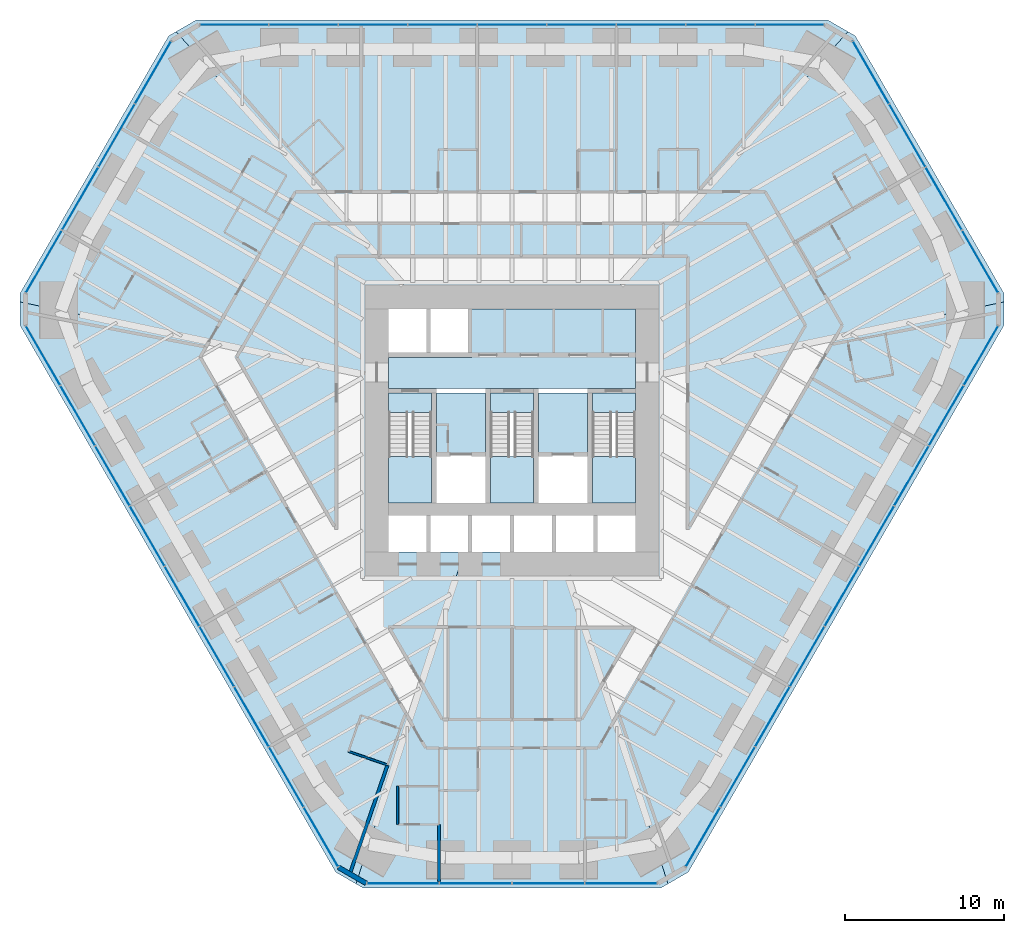
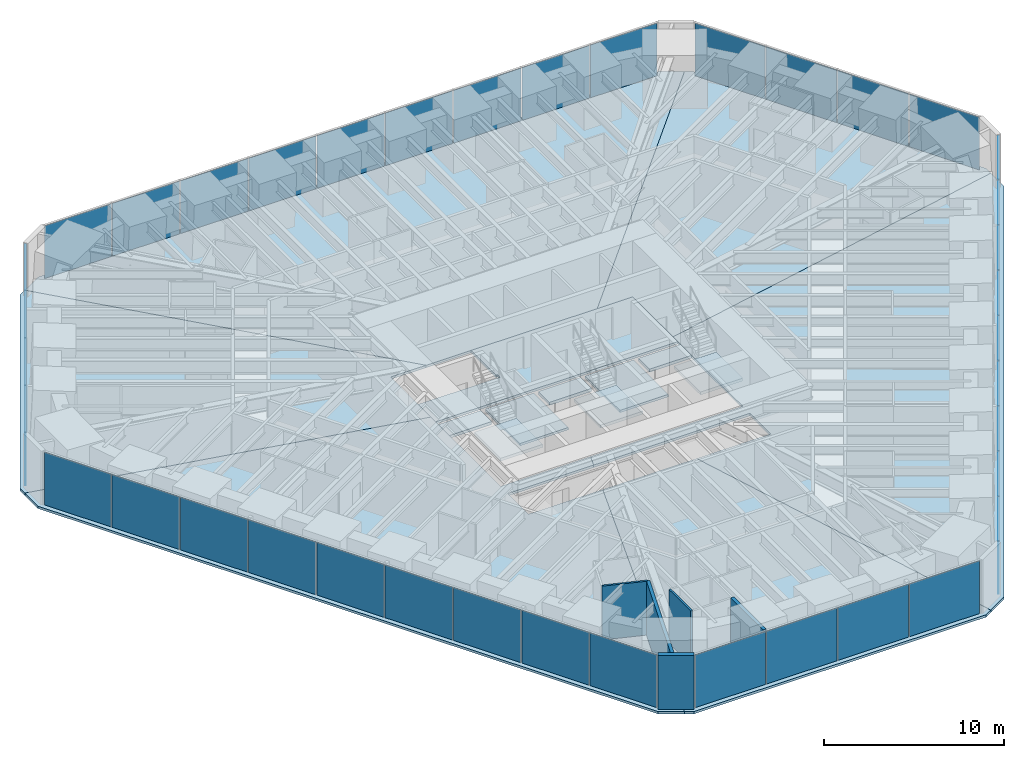
# One storey, part 10 of 17: 39 plates, 15 slabs, 5 walls, 9 elements without a shape of their own.
"""IFC4 building model written with IfcOpenShell, lengths in metres."""

from ifc_helpers import new_model, si_unit, direction, frame, frame_2d, origin, origin_2d, place, context, subcontext, project, spatial, polyline, rectangle, outline, extrude, material, layer, layer_set, type_object, element, aggregate, save


model = new_model("IFC4")

# Units and contexts
model_context = context("Model", 3, precision=1e-05, world=origin(), true_north=direction((0.0, 1.0)))
body_context = subcontext(model_context, "Body", "Model", "MODEL_VIEW")
ifc_project = project(units=[si_unit("LENGTHUNIT", "METRE"), si_unit("AREAUNIT", "SQUARE_METRE"), si_unit("VOLUMEUNIT", "CUBIC_METRE"), si_unit("PLANEANGLEUNIT", "RADIAN"), si_unit("MASSUNIT", "GRAM", prefix="KILO")], contexts=[model_context])

# Site, building, storey
site_placement = place(None, origin())
site = spatial("IfcSite", under=ifc_project, at=site_placement, CompositionType="ELEMENT")
building_placement = place(site_placement, origin())
building = spatial("IfcBuilding", under=site, at=building_placement, Name="Sandreach Pilgrim Tower", CompositionType="ELEMENT")
storey_placement = place(building_placement, frame((0.0, 0.0, 61.0)))
storey = spatial("IfcBuildingStorey", under=building, at=storey_placement, Name="L14", CompositionType="ELEMENT", Elevation=61.0)

# Curtain wall, plates
ifc_material_1 = material(Name="Aluminium framed curtain wall", Category="aluminium")
curtain_wall_type = type_object("IfcCurtainWallType", Name="Hostel tower curtain wall", PredefinedType="NOTDEFINED", material=ifc_material_1)
curtain_wall_1_placement = place(storey_placement, origin())
curtain_wall_1 = element("IfcCurtainWall", 1, at=curtain_wall_1_placement, inside=storey, type_object=curtain_wall_type, Name="CW-1 L14 N", PredefinedType="NOTDEFINED")
ifc_material_2 = material(Name="Insulating glass unit 6 heat-strengthened + 12 argon + 6 heat-strengthened", Category="glass")
ifc_layer_1 = layer(ifc_material_2, 0.02392578125)
ifc_layer_set_1 = layer_set([ifc_layer_1], Name="CW-1 panel")
plate_type = type_object("IfcPlateType", Name="CW-1 panel", PredefinedType="CURTAIN_PANEL", material=ifc_layer_set_1)
plate_1_placement = place(storey_placement, frame((-17.469970703125, 23.94873046875, 0.0), z_axis=(0.0, 0.0, 1.0), x_axis=(1.0, 0.0, 0.0)))
plate_1 = element("IfcPlate", 2, at=plate_1_placement, type_object=plate_type, Name="CW-1 panel 1", PredefinedType="CURTAIN_PANEL", context=body_context, shape_type="SweptSolid", body=[
    extrude(rectangle(XDim=4.274169921875, YDim=0.02392578125, at=origin_2d()), origin(), (0.0, 0.0, 1.0), 3.570068359375),
])
plate_2_placement = place(storey_placement, frame((-13.11474609375, 23.94873046875, 0.0), z_axis=(0.0, 0.0, 1.0), x_axis=(1.0, 0.0, 0.0)))
plate_2 = element("IfcPlate", 3, at=plate_2_placement, type_object=plate_type, Name="CW-1 panel 2", PredefinedType="CURTAIN_PANEL", context=body_context, shape_type="SweptSolid", body=[
    extrude(rectangle(XDim=4.306640625, YDim=0.02392578125, at=origin_2d()), origin(), (0.0, 0.0, 1.0), 3.570068359375),
])
plate_3_placement = place(storey_placement, frame((-8.7431640625, 23.94873046875, 0.0), z_axis=(0.0, 0.0, 1.0), x_axis=(1.0, 0.0, 0.0)))
plate_3 = element("IfcPlate", 4, at=plate_3_placement, type_object=plate_type, Name="CW-1 panel 3", PredefinedType="CURTAIN_PANEL", context=body_context, shape_type="SweptSolid", body=[
    extrude(rectangle(XDim=4.306640625, YDim=0.02392578125, at=origin_2d()), origin(), (0.0, 0.0, 1.0), 3.570068359375),
])
plate_4_placement = place(storey_placement, frame((-4.37158203125, 23.94873046875, 0.0), z_axis=(0.0, 0.0, 1.0), x_axis=(1.0, 0.0, 0.0)))
plate_4 = element("IfcPlate", 5, at=plate_4_placement, type_object=plate_type, Name="CW-1 panel 4", PredefinedType="CURTAIN_PANEL", context=body_context, shape_type="SweptSolid", body=[
    extrude(rectangle(XDim=4.306640625, YDim=0.02392578125, at=origin_2d()), origin(), (0.0, 0.0, 1.0), 3.570068359375),
])
plate_5_placement = place(storey_placement, frame((0.0, 23.94873046875, 0.0), z_axis=(0.0, 0.0, 1.0), x_axis=(1.0, 0.0, 0.0)))
plate_5 = element("IfcPlate", 6, at=plate_5_placement, type_object=plate_type, Name="CW-1 panel 5", PredefinedType="CURTAIN_PANEL", context=body_context, shape_type="SweptSolid", body=[
    extrude(rectangle(XDim=4.306640625, YDim=0.02392578125, at=origin_2d()), origin(), (0.0, 0.0, 1.0), 3.570068359375),
])
plate_6_placement = place(storey_placement, frame((4.37158203125, 23.94873046875, 0.0), z_axis=(0.0, 0.0, 1.0), x_axis=(1.0, 0.0, 0.0)))
plate_6 = element("IfcPlate", 7, at=plate_6_placement, type_object=plate_type, Name="CW-1 panel 6", PredefinedType="CURTAIN_PANEL", context=body_context, shape_type="SweptSolid", body=[
    extrude(rectangle(XDim=4.306640625, YDim=0.02392578125, at=origin_2d()), origin(), (0.0, 0.0, 1.0), 3.570068359375),
])
plate_7_placement = place(storey_placement, frame((8.7431640625, 23.94873046875, 0.0), z_axis=(0.0, 0.0, 1.0), x_axis=(1.0, 0.0, 0.0)))
plate_7 = element("IfcPlate", 8, at=plate_7_placement, type_object=plate_type, Name="CW-1 panel 7", PredefinedType="CURTAIN_PANEL", context=body_context, shape_type="SweptSolid", body=[
    extrude(rectangle(XDim=4.306640625, YDim=0.02392578125, at=origin_2d()), origin(), (0.0, 0.0, 1.0), 3.570068359375),
])
plate_8_placement = place(storey_placement, frame((13.11474609375, 23.94873046875, 0.0), z_axis=(0.0, 0.0, 1.0), x_axis=(1.0, 0.0, 0.0)))
plate_8 = element("IfcPlate", 9, at=plate_8_placement, type_object=plate_type, Name="CW-1 panel 8", PredefinedType="CURTAIN_PANEL", context=body_context, shape_type="SweptSolid", body=[
    extrude(rectangle(XDim=4.306640625, YDim=0.02392578125, at=origin_2d()), origin(), (0.0, 0.0, 1.0), 3.570068359375),
])
plate_9_placement = place(storey_placement, frame((17.469970703125, 23.94873046875, 0.0), z_axis=(0.0, 0.0, 1.0), x_axis=(1.0, 0.0, 0.0)))
plate_9 = element("IfcPlate", 10, at=plate_9_placement, type_object=plate_type, Name="CW-1 panel 9", PredefinedType="CURTAIN_PANEL", context=body_context, shape_type="SweptSolid", body=[
    extrude(rectangle(XDim=4.274169921875, YDim=0.02392578125, at=origin_2d()), origin(), (0.0, 0.0, 1.0), 3.570068359375),
])
aggregate(curtain_wall_1, [plate_1, plate_2, plate_3, plate_4, plate_5, plate_6, plate_7, plate_8, plate_9])

curtain_wall_2_placement = place(storey_placement, origin())
curtain_wall_2 = element("IfcCurtainWall", 11, at=curtain_wall_2_placement, inside=storey, type_object=curtain_wall_type, Name="CW-1 L14 NE", PredefinedType="NOTDEFINED")
plate_10_placement = place(storey_placement, frame((22.558837890625, 20.94873046875, 0.0), z_axis=(0.0, 0.0, 1.0), x_axis=(0.5, -0.866025403784, 0.0)))
plate_10 = element("IfcPlate", 12, at=plate_10_placement, type_object=plate_type, Name="CW-1 panel 1", PredefinedType="CURTAIN_PANEL", context=body_context, shape_type="SweptSolid", body=[
    extrude(rectangle(XDim=4.488525390625, YDim=0.02392578125, at=origin_2d()), origin(), (0.0, 0.0, 1.0), 3.570068359375),
])
plate_11_placement = place(storey_placement, frame((24.84375, 16.9912109375, 0.0), z_axis=(0.0, 0.0, 1.0), x_axis=(0.5, -0.866025403784, 0.0)))
plate_11 = element("IfcPlate", 13, at=plate_11_placement, type_object=plate_type, Name="CW-1 panel 2", PredefinedType="CURTAIN_PANEL", context=body_context, shape_type="SweptSolid", body=[
    extrude(rectangle(XDim=4.52099609375, YDim=0.02392578125, at=origin_2d()), origin(), (0.0, 0.0, 1.0), 3.570068359375),
])
plate_12_placement = place(storey_placement, frame((27.13671875, 13.01953125, 0.0), z_axis=(0.0, 0.0, 1.0), x_axis=(0.5, -0.866025403784, 0.0)))
plate_12 = element("IfcPlate", 14, at=plate_12_placement, type_object=plate_type, Name="CW-1 panel 3", PredefinedType="CURTAIN_PANEL", context=body_context, shape_type="SweptSolid", body=[
    extrude(rectangle(XDim=4.52099609375, YDim=0.02392578125, at=origin_2d()), origin(), (0.0, 0.0, 1.0), 3.570068359375),
])
plate_13_placement = place(storey_placement, frame((29.421630859375, 9.06201171875, 0.0), z_axis=(0.0, 0.0, 1.0), x_axis=(0.5, -0.866025403784, 0.0)))
plate_13 = element("IfcPlate", 15, at=plate_13_placement, type_object=plate_type, Name="CW-1 panel 4", PredefinedType="CURTAIN_PANEL", context=body_context, shape_type="SweptSolid", body=[
    extrude(rectangle(XDim=4.488525390625, YDim=0.02392578125, at=origin_2d()), origin(), (0.0, 0.0, 1.0), 3.570068359375),
])
aggregate(curtain_wall_2, [plate_10, plate_11, plate_12, plate_13])

curtain_wall_3_placement = place(storey_placement, origin())
curtain_wall_3 = element("IfcCurtainWall", 16, at=curtain_wall_3_placement, inside=storey, type_object=curtain_wall_type, Name="CW-1 L14 SE", PredefinedType="NOTDEFINED")
plate_14_placement = place(storey_placement, frame((29.475341796875, 3.1552734375, 0.0), z_axis=(0.0, 0.0, 1.0), x_axis=(-0.5, -0.866025403784, 0.0)))
plate_14 = element("IfcPlate", 17, at=plate_14_placement, type_object=plate_type, Name="CW-1 panel 1", PredefinedType="CURTAIN_PANEL", context=body_context, shape_type="SweptSolid", body=[
    extrude(rectangle(XDim=4.274169921875, YDim=0.02392578125, at=origin_2d()), origin(), (0.0, 0.0, 1.0), 3.570068359375),
])
plate_15_placement = place(storey_placement, frame((27.297607421875, -0.61669921875, 0.0), z_axis=(0.0, 0.0, 1.0), x_axis=(-0.5, -0.866025403784, 0.0)))
plate_15 = element("IfcPlate", 18, at=plate_15_placement, type_object=plate_type, Name="CW-1 panel 2", PredefinedType="CURTAIN_PANEL", context=body_context, shape_type="SweptSolid", body=[
    extrude(rectangle(XDim=4.306640625, YDim=0.02392578125, at=origin_2d()), origin(), (0.0, 0.0, 1.0), 3.570068359375),
])
plate_16_placement = place(storey_placement, frame((25.11181640625, -4.402587890625, 0.0), z_axis=(0.0, 0.0, 1.0), x_axis=(-0.5, -0.866025403784, 0.0)))
plate_16 = element("IfcPlate", 19, at=plate_16_placement, type_object=plate_type, Name="CW-1 panel 3", PredefinedType="CURTAIN_PANEL", context=body_context, shape_type="SweptSolid", body=[
    extrude(rectangle(XDim=4.306640625, YDim=0.02392578125, at=origin_2d()), origin(), (0.0, 0.0, 1.0), 3.570068359375),
])
plate_17_placement = place(storey_placement, frame((22.926025390625, -8.1884765625, 0.0), z_axis=(0.0, 0.0, 1.0), x_axis=(-0.5, -0.866025403784, 0.0)))
plate_17 = element("IfcPlate", 20, at=plate_17_placement, type_object=plate_type, Name="CW-1 panel 4", PredefinedType="CURTAIN_PANEL", context=body_context, shape_type="SweptSolid", body=[
    extrude(rectangle(XDim=4.306640625, YDim=0.02392578125, at=origin_2d()), origin(), (0.0, 0.0, 1.0), 3.570068359375),
])
plate_18_placement = place(storey_placement, frame((20.740234375, -11.974365234375, 0.0), z_axis=(0.0, 0.0, 1.0), x_axis=(-0.5, -0.866025403784, 0.0)))
plate_18 = element("IfcPlate", 21, at=plate_18_placement, type_object=plate_type, Name="CW-1 panel 5", PredefinedType="CURTAIN_PANEL", context=body_context, shape_type="SweptSolid", body=[
    extrude(rectangle(XDim=4.306640625, YDim=0.02392578125, at=origin_2d()), origin(), (0.0, 0.0, 1.0), 3.570068359375),
])
plate_19_placement = place(storey_placement, frame((18.554443359375, -15.76025390625, 0.0), z_axis=(0.0, 0.0, 1.0), x_axis=(-0.5, -0.866025403784, 0.0)))
plate_19 = element("IfcPlate", 22, at=plate_19_placement, type_object=plate_type, Name="CW-1 panel 6", PredefinedType="CURTAIN_PANEL", context=body_context, shape_type="SweptSolid", body=[
    extrude(rectangle(XDim=4.306640625, YDim=0.02392578125, at=origin_2d()), origin(), (0.0, 0.0, 1.0), 3.570068359375),
])
plate_20_placement = place(storey_placement, frame((16.36865234375, -19.546142578125, 0.0), z_axis=(0.0, 0.0, 1.0), x_axis=(-0.5, -0.866025403784, 0.0)))
plate_20 = element("IfcPlate", 23, at=plate_20_placement, type_object=plate_type, Name="CW-1 panel 7", PredefinedType="CURTAIN_PANEL", context=body_context, shape_type="SweptSolid", body=[
    extrude(rectangle(XDim=4.306640625, YDim=0.02392578125, at=origin_2d()), origin(), (0.0, 0.0, 1.0), 3.570068359375),
])
plate_21_placement = place(storey_placement, frame((14.182861328125, -23.33203125, 0.0), z_axis=(0.0, 0.0, 1.0), x_axis=(-0.5, -0.866025403784, 0.0)))
plate_21 = element("IfcPlate", 24, at=plate_21_placement, type_object=plate_type, Name="CW-1 panel 8", PredefinedType="CURTAIN_PANEL", context=body_context, shape_type="SweptSolid", body=[
    extrude(rectangle(XDim=4.306640625, YDim=0.02392578125, at=origin_2d()), origin(), (0.0, 0.0, 1.0), 3.570068359375),
])
plate_22_placement = place(storey_placement, frame((12.005126953125, -27.103759765625, 0.0), z_axis=(0.0, 0.0, 1.0), x_axis=(-0.5, -0.866025403784, 0.0)))
plate_22 = element("IfcPlate", 25, at=plate_22_placement, type_object=plate_type, Name="CW-1 panel 9", PredefinedType="CURTAIN_PANEL", context=body_context, shape_type="SweptSolid", body=[
    extrude(rectangle(XDim=4.274169921875, YDim=0.02392578125, at=origin_2d()), origin(), (0.0, 0.0, 1.0), 3.570068359375),
])
aggregate(curtain_wall_3, [plate_14, plate_15, plate_16, plate_17, plate_18, plate_19, plate_20, plate_21, plate_22])

curtain_wall_4_placement = place(storey_placement, origin())
curtain_wall_4 = element("IfcCurtainWall", 26, at=curtain_wall_4_placement, inside=storey, type_object=curtain_wall_type, Name="CW-1 L14 S", PredefinedType="NOTDEFINED")
plate_23_placement = place(storey_placement, frame((6.86279296875, -30.010986328125, 0.0), z_axis=(0.0, 0.0, 1.0), x_axis=(-1.0, 0.0, 0.0)))
plate_23 = element("IfcPlate", 27, at=plate_23_placement, type_object=plate_type, Name="CW-1 panel 1", PredefinedType="CURTAIN_PANEL", context=body_context, shape_type="SweptSolid", body=[
    extrude(rectangle(XDim=4.488525390625, YDim=0.02392578125, at=origin_2d()), origin(), (0.0, 0.0, 1.0), 3.570068359375),
])
plate_24_placement = place(storey_placement, frame((2.29296875, -30.010986328125, 0.0), z_axis=(0.0, 0.0, 1.0), x_axis=(-1.0, 0.0, 0.0)))
plate_24 = element("IfcPlate", 28, at=plate_24_placement, type_object=plate_type, Name="CW-1 panel 2", PredefinedType="CURTAIN_PANEL", context=body_context, shape_type="SweptSolid", body=[
    extrude(rectangle(XDim=4.52099609375, YDim=0.02392578125, at=origin_2d()), origin(), (0.0, 0.0, 1.0), 3.570068359375),
])
plate_25_placement = place(storey_placement, frame((-2.29296875, -30.010986328125, 0.0), z_axis=(0.0, 0.0, 1.0), x_axis=(-1.0, 0.0, 0.0)))
plate_25 = element("IfcPlate", 29, at=plate_25_placement, type_object=plate_type, Name="CW-1 panel 3", PredefinedType="CURTAIN_PANEL", context=body_context, shape_type="SweptSolid", body=[
    extrude(rectangle(XDim=4.52099609375, YDim=0.02392578125, at=origin_2d()), origin(), (0.0, 0.0, 1.0), 3.570068359375),
])
plate_26_placement = place(storey_placement, frame((-6.86279296875, -30.010986328125, 0.0), z_axis=(0.0, 0.0, 1.0), x_axis=(-1.0, 0.0, 0.0)))
plate_26 = element("IfcPlate", 30, at=plate_26_placement, type_object=plate_type, Name="CW-1 panel 4", PredefinedType="CURTAIN_PANEL", context=body_context, shape_type="SweptSolid", body=[
    extrude(rectangle(XDim=4.488525390625, YDim=0.02392578125, at=origin_2d()), origin(), (0.0, 0.0, 1.0), 3.570068359375),
])
aggregate(curtain_wall_4, [plate_23, plate_24, plate_25, plate_26])

curtain_wall_5_placement = place(storey_placement, origin())
curtain_wall_5 = element("IfcCurtainWall", 31, at=curtain_wall_5_placement, inside=storey, type_object=curtain_wall_type, Name="CW-1 L14 SW", PredefinedType="NOTDEFINED")
plate_27_placement = place(storey_placement, frame((-12.005126953125, -27.103759765625, 0.0), z_axis=(0.0, 0.0, 1.0), x_axis=(-0.5, 0.866025403784, 0.0)))
plate_27 = element("IfcPlate", 32, at=plate_27_placement, type_object=plate_type, Name="CW-1 panel 1", PredefinedType="CURTAIN_PANEL", context=body_context, shape_type="SweptSolid", body=[
    extrude(rectangle(XDim=4.274169921875, YDim=0.02392578125, at=origin_2d()), origin(), (0.0, 0.0, 1.0), 3.570068359375),
])
plate_28_placement = place(storey_placement, frame((-14.182861328125, -23.33203125, 0.0), z_axis=(0.0, 0.0, 1.0), x_axis=(-0.5, 0.866025403784, 0.0)))
plate_28 = element("IfcPlate", 33, at=plate_28_placement, type_object=plate_type, Name="CW-1 panel 2", PredefinedType="CURTAIN_PANEL", context=body_context, shape_type="SweptSolid", body=[
    extrude(rectangle(XDim=4.306640625, YDim=0.02392578125, at=origin_2d()), origin(), (0.0, 0.0, 1.0), 3.570068359375),
])
plate_29_placement = place(storey_placement, frame((-16.36865234375, -19.546142578125, 0.0), z_axis=(0.0, 0.0, 1.0), x_axis=(-0.5, 0.866025403784, 0.0)))
plate_29 = element("IfcPlate", 34, at=plate_29_placement, type_object=plate_type, Name="CW-1 panel 3", PredefinedType="CURTAIN_PANEL", context=body_context, shape_type="SweptSolid", body=[
    extrude(rectangle(XDim=4.306640625, YDim=0.02392578125, at=origin_2d()), origin(), (0.0, 0.0, 1.0), 3.570068359375),
])
plate_30_placement = place(storey_placement, frame((-18.554443359375, -15.76025390625, 0.0), z_axis=(0.0, 0.0, 1.0), x_axis=(-0.5, 0.866025403784, 0.0)))
plate_30 = element("IfcPlate", 35, at=plate_30_placement, type_object=plate_type, Name="CW-1 panel 4", PredefinedType="CURTAIN_PANEL", context=body_context, shape_type="SweptSolid", body=[
    extrude(rectangle(XDim=4.306640625, YDim=0.02392578125, at=origin_2d()), origin(), (0.0, 0.0, 1.0), 3.570068359375),
])
plate_31_placement = place(storey_placement, frame((-20.740234375, -11.974365234375, 0.0), z_axis=(0.0, 0.0, 1.0), x_axis=(-0.5, 0.866025403784, 0.0)))
plate_31 = element("IfcPlate", 36, at=plate_31_placement, type_object=plate_type, Name="CW-1 panel 5", PredefinedType="CURTAIN_PANEL", context=body_context, shape_type="SweptSolid", body=[
    extrude(rectangle(XDim=4.306640625, YDim=0.02392578125, at=origin_2d()), origin(), (0.0, 0.0, 1.0), 3.570068359375),
])
plate_32_placement = place(storey_placement, frame((-22.926025390625, -8.1884765625, 0.0), z_axis=(0.0, 0.0, 1.0), x_axis=(-0.5, 0.866025403784, 0.0)))
plate_32 = element("IfcPlate", 37, at=plate_32_placement, type_object=plate_type, Name="CW-1 panel 6", PredefinedType="CURTAIN_PANEL", context=body_context, shape_type="SweptSolid", body=[
    extrude(rectangle(XDim=4.306640625, YDim=0.02392578125, at=origin_2d()), origin(), (0.0, 0.0, 1.0), 3.570068359375),
])
plate_33_placement = place(storey_placement, frame((-25.11181640625, -4.402587890625, 0.0), z_axis=(0.0, 0.0, 1.0), x_axis=(-0.5, 0.866025403784, 0.0)))
plate_33 = element("IfcPlate", 38, at=plate_33_placement, type_object=plate_type, Name="CW-1 panel 7", PredefinedType="CURTAIN_PANEL", context=body_context, shape_type="SweptSolid", body=[
    extrude(rectangle(XDim=4.306640625, YDim=0.02392578125, at=origin_2d()), origin(), (0.0, 0.0, 1.0), 3.570068359375),
])
plate_34_placement = place(storey_placement, frame((-27.297607421875, -0.61669921875, 0.0), z_axis=(0.0, 0.0, 1.0), x_axis=(-0.5, 0.866025403784, 0.0)))
plate_34 = element("IfcPlate", 39, at=plate_34_placement, type_object=plate_type, Name="CW-1 panel 8", PredefinedType="CURTAIN_PANEL", context=body_context, shape_type="SweptSolid", body=[
    extrude(rectangle(XDim=4.306640625, YDim=0.02392578125, at=origin_2d()), origin(), (0.0, 0.0, 1.0), 3.570068359375),
])
plate_35_placement = place(storey_placement, frame((-29.475341796875, 3.1552734375, 0.0), z_axis=(0.0, 0.0, 1.0), x_axis=(-0.5, 0.866025403784, 0.0)))
plate_35 = element("IfcPlate", 40, at=plate_35_placement, type_object=plate_type, Name="CW-1 panel 9", PredefinedType="CURTAIN_PANEL", context=body_context, shape_type="SweptSolid", body=[
    extrude(rectangle(XDim=4.274169921875, YDim=0.02392578125, at=origin_2d()), origin(), (0.0, 0.0, 1.0), 3.570068359375),
])
aggregate(curtain_wall_5, [plate_27, plate_28, plate_29, plate_30, plate_31, plate_32, plate_33, plate_34, plate_35])

curtain_wall_6_placement = place(storey_placement, origin())
curtain_wall_6 = element("IfcCurtainWall", 41, at=curtain_wall_6_placement, inside=storey, type_object=curtain_wall_type, Name="CW-1 L14 NW", PredefinedType="NOTDEFINED")
plate_36_placement = place(storey_placement, frame((-29.421630859375, 9.06201171875, 0.0), z_axis=(0.0, 0.0, 1.0), x_axis=(0.5, 0.866025403784, 0.0)))
plate_36 = element("IfcPlate", 42, at=plate_36_placement, type_object=plate_type, Name="CW-1 panel 1", PredefinedType="CURTAIN_PANEL", context=body_context, shape_type="SweptSolid", body=[
    extrude(rectangle(XDim=4.488525390625, YDim=0.02392578125, at=origin_2d()), origin(), (0.0, 0.0, 1.0), 3.570068359375),
])
plate_37_placement = place(storey_placement, frame((-27.13671875, 13.01953125, 0.0), z_axis=(0.0, 0.0, 1.0), x_axis=(0.5, 0.866025403784, 0.0)))
plate_37 = element("IfcPlate", 43, at=plate_37_placement, type_object=plate_type, Name="CW-1 panel 2", PredefinedType="CURTAIN_PANEL", context=body_context, shape_type="SweptSolid", body=[
    extrude(rectangle(XDim=4.52099609375, YDim=0.02392578125, at=origin_2d()), origin(), (0.0, 0.0, 1.0), 3.570068359375),
])
plate_38_placement = place(storey_placement, frame((-24.84375, 16.9912109375, 0.0), z_axis=(0.0, 0.0, 1.0), x_axis=(0.5, 0.866025403784, 0.0)))
plate_38 = element("IfcPlate", 44, at=plate_38_placement, type_object=plate_type, Name="CW-1 panel 3", PredefinedType="CURTAIN_PANEL", context=body_context, shape_type="SweptSolid", body=[
    extrude(rectangle(XDim=4.52099609375, YDim=0.02392578125, at=origin_2d()), origin(), (0.0, 0.0, 1.0), 3.570068359375),
])
plate_39_placement = place(storey_placement, frame((-22.558837890625, 20.94873046875, 0.0), z_axis=(0.0, 0.0, 1.0), x_axis=(0.5, 0.866025403784, 0.0)))
plate_39 = element("IfcPlate", 45, at=plate_39_placement, type_object=plate_type, Name="CW-1 panel 4", PredefinedType="CURTAIN_PANEL", context=body_context, shape_type="SweptSolid", body=[
    extrude(rectangle(XDim=4.488525390625, YDim=0.02392578125, at=origin_2d()), origin(), (0.0, 0.0, 1.0), 3.570068359375),
])
aggregate(curtain_wall_6, [plate_36, plate_37, plate_38, plate_39])

# Slabs
ifc_material_3 = material(Name="Concrete 8000 psi", Category="concrete")
ifc_layer_2 = layer(ifc_material_3, 0.159912109375)
ifc_layer_set_2 = layer_set([ifc_layer_2], Name="Composite floor slab 160")
slab_type_1 = type_object("IfcSlabType", Name="Composite floor slab 160", PredefinedType="FLOOR", material=ifc_layer_set_2)
slab_1_placement = place(storey_placement, frame((0.0, 0.0, -0.159912109375)))
element("IfcSlab", 46, at=slab_1_placement, inside=storey, type_object=slab_type_1, Name="Floor slab L14 N sector", PredefinedType="FLOOR", context=body_context, shape_type="SweptSolid", body=[
    extrude(outline(polyline([(-19.84521484375, 24.248779296875), (19.84521484375, 24.248779296875), (21.115478515625, 23.515380859375), (5.477294921875, 6.10009765625), (-5.477294921875, 6.10009765625), (-21.115478515625, 23.515380859375), (-19.84521484375, 24.248779296875)])), origin(), (0.0, 0.0, 1.0), 0.159912109375),
])
slab_2_placement = place(storey_placement, frame((0.0, 0.0, -0.159912109375)))
element("IfcSlab", 47, at=slab_2_placement, inside=storey, type_object=slab_type_1, Name="Floor slab L14 NE sector", PredefinedType="FLOOR", context=body_context, shape_type="SweptSolid", body=[
    extrude(outline(polyline([(21.577392578125, 23.248779296875), (30.922607421875, 7.062255859375), (30.922607421875, 6.52880859375), (7.75, 1.63623046875), (7.75, 6.10009765625), (5.477294921875, 6.10009765625), (21.115478515625, 23.515380859375), (21.577392578125, 23.248779296875)])), origin(), (0.0, 0.0, 1.0), 0.159912109375),
])
slab_3_placement = place(storey_placement, frame((0.0, 0.0, -0.159912109375)))
element("IfcSlab", 48, at=slab_3_placement, inside=storey, type_object=slab_type_1, Name="Floor slab L14 SE sector", PredefinedType="FLOOR", context=body_context, shape_type="SweptSolid", body=[
    extrude(outline(polyline([(11.077392578125, -29.310791015625), (9.80712890625, -30.044189453125), (3.003173828125, -9.199951171875), (7.75, -9.199951171875), (7.75, -6.89990234375), (-2.252197265625, -6.89990234375), (-1.9912109375, -6.10009765625), (7.75, -6.10009765625), (7.75, 1.63623046875), (30.922607421875, 6.52880859375), (30.922607421875, 5.062255859375), (11.077392578125, -29.310791015625)])), origin(), (0.0, 0.0, 1.0), 0.159912109375),
])
slab_4_placement = place(storey_placement, frame((0.0, 0.0, -0.159912109375)))
element("IfcSlab", 49, at=slab_4_placement, inside=storey, type_object=slab_type_1, Name="Floor slab L14 S sector", PredefinedType="FLOOR", context=body_context, shape_type="SweptSolid", body=[
    extrude(outline(polyline([(9.34521484375, -30.310791015625), (-9.34521484375, -30.310791015625), (-9.80712890625, -30.044189453125), (-3.003173828125, -9.199951171875), (3.003173828125, -9.199951171875), (9.80712890625, -30.044189453125), (9.34521484375, -30.310791015625)])), origin(), (0.0, 0.0, 1.0), 0.159912109375),
])
slab_5_placement = place(storey_placement, frame((0.0, 0.0, -0.159912109375)))
element("IfcSlab", 50, at=slab_5_placement, inside=storey, type_object=slab_type_1, Name="Floor slab L14 SW sector", PredefinedType="FLOOR", context=body_context, shape_type="SweptSolid", body=[
    extrude(outline(polyline([(-11.077392578125, -29.310791015625), (-30.922607421875, 5.062255859375), (-30.922607421875, 6.52880859375), (-7.75, 1.63623046875), (-7.75, -6.10009765625), (-1.9912109375, -6.10009765625), (-2.252197265625, -6.89990234375), (-7.75, -6.89990234375), (-7.75, -9.199951171875), (-3.003173828125, -9.199951171875), (-9.80712890625, -30.044189453125), (-11.077392578125, -29.310791015625)])), origin(), (0.0, 0.0, 1.0), 0.159912109375),
])
slab_6_placement = place(storey_placement, frame((0.0, 0.0, -0.159912109375)))
element("IfcSlab", 51, at=slab_6_placement, inside=storey, type_object=slab_type_1, Name="Floor slab L14 NW sector", PredefinedType="FLOOR", context=body_context, shape_type="SweptSolid", body=[
    extrude(outline(polyline([(-30.922607421875, 7.062255859375), (-21.577392578125, 23.248779296875), (-21.115478515625, 23.515380859375), (-5.477294921875, 6.10009765625), (-7.75, 6.10009765625), (-7.75, 1.63623046875), (-30.922607421875, 6.52880859375), (-30.922607421875, 7.062255859375)])), origin(), (0.0, 0.0, 1.0), 0.159912109375),
])
slab_7_placement = place(storey_placement, frame((0.0, 0.0, -0.159912109375)))
element("IfcSlab", 52, at=slab_7_placement, inside=storey, type_object=slab_type_1, Name="Core floor slab and stores L14", PredefinedType="FLOOR", context=body_context, shape_type="SweptSolid", body=[
    extrude(outline(polyline([(-7.75, 3.050048828125), (-5.375, 3.050048828125), (-5.125, 3.050048828125), (-2.5, 3.050048828125), (-2.5, 3.35009765625), (-2.60009765625, 3.35009765625), (-2.60009765625, 6.10009765625), (7.75, 6.10009765625), (7.75, 1.10009765625), (5.050048828125, 1.10009765625), (4.75, 1.10009765625), (1.64990234375, 1.10009765625), (1.35009765625, 1.10009765625), (-1.35009765625, 1.10009765625), (-1.64990234375, 1.10009765625), (-4.75, 1.10009765625), (-5.050048828125, 1.10009765625), (-7.75, 1.10009765625), (-7.75, 3.050048828125)])), origin(), (0.0, 0.0, 1.0), 0.159912109375),
])
slab_8_placement = place(storey_placement, frame((0.0, 0.0, -0.159912109375)))
element("IfcSlab", 53, at=slab_8_placement, inside=storey, type_object=slab_type_1, Name="Core floor slab and stores L14 2", PredefinedType="FLOOR", context=body_context, shape_type="SweptSolid", body=[
    extrude(outline(polyline([(-1.64990234375, -3.050048828125), (-4.75, -3.050048828125), (-4.75, 0.800048828125), (-1.64990234375, 0.800048828125), (-1.64990234375, -3.050048828125)])), origin(), (0.0, 0.0, 1.0), 0.159912109375),
])
slab_9_placement = place(storey_placement, frame((0.0, 0.0, -0.159912109375)))
element("IfcSlab", 54, at=slab_9_placement, inside=storey, type_object=slab_type_1, Name="Core floor slab and stores L14 3", PredefinedType="FLOOR", context=body_context, shape_type="SweptSolid", body=[
    extrude(outline(polyline([(4.75, -3.050048828125), (1.64990234375, -3.050048828125), (1.64990234375, 0.800048828125), (4.75, 0.800048828125), (4.75, -3.050048828125)])), origin(), (0.0, 0.0, 1.0), 0.159912109375),
])

# Stair, slabs
ifc_material_4 = material(Name="Concrete 8000 psi", Category="concrete")
stair_type = type_object("IfcStairType", Name="Core exit stair", PredefinedType="HALF_TURN_STAIR", material=ifc_material_4)
stair_1_placement = place(storey_placement, origin())
stair_1 = element("IfcStair", 55, at=stair_1_placement, inside=storey, type_object=stair_type, Name="Exit stair ST1 L14", PredefinedType="HALF_TURN_STAIR")
ifc_material_5 = material(Name="Concrete 8000 psi", Category="concrete")
ifc_layer_3 = layer(ifc_material_5, 0.199951171875)
ifc_layer_set_3 = layer_set([ifc_layer_3], Name="Core stair landing 200")
slab_type_2 = type_object("IfcSlabType", Name="Core stair landing 200", PredefinedType="LANDING", material=ifc_layer_set_3)
slab_10_placement = place(storey_placement, frame((0.0, 0.0, -0.199951171875)))
slab_10 = element("IfcSlab", 56, at=slab_10_placement, type_object=slab_type_2, Name="ST1 landing 1", PredefinedType="LANDING", context=body_context, shape_type="SweptSolid", body=[
    extrude(outline(polyline([(-7.75, -0.425048828125), (-5.050048828125, -0.425048828125), (-5.050048828125, 0.800048828125), (-7.75, 0.800048828125), (-7.75, -0.425048828125)])), origin(), (0.0, 0.0, 1.0), 0.199951171875),
])
slab_11_placement = place(storey_placement, frame((0.0, 0.0, 1.699951171875)))
slab_11 = element("IfcSlab", 57, at=slab_11_placement, type_object=slab_type_2, Name="ST1 landing 2", PredefinedType="LANDING", context=body_context, shape_type="SweptSolid", body=[
    extrude(outline(polyline([(-7.75, -6.10009765625), (-5.050048828125, -6.10009765625), (-5.050048828125, -3.175048828125), (-7.75, -3.175048828125), (-7.75, -6.10009765625)])), origin(), (0.0, 0.0, 1.0), 0.199951171875),
])
aggregate(stair_1, [slab_10, slab_11])

stair_2_placement = place(storey_placement, origin())
stair_2 = element("IfcStair", 58, at=stair_2_placement, inside=storey, type_object=stair_type, Name="Exit stair ST3 L14", PredefinedType="HALF_TURN_STAIR")
slab_12_placement = place(storey_placement, frame((0.0, 0.0, -0.199951171875)))
slab_12 = element("IfcSlab", 59, at=slab_12_placement, type_object=slab_type_2, Name="ST3 landing 1", PredefinedType="LANDING", context=body_context, shape_type="SweptSolid", body=[
    extrude(outline(polyline([(-1.35009765625, -0.425048828125), (1.35009765625, -0.425048828125), (1.35009765625, 0.800048828125), (-1.35009765625, 0.800048828125), (-1.35009765625, -0.425048828125)])), origin(), (0.0, 0.0, 1.0), 0.199951171875),
])
slab_13_placement = place(storey_placement, frame((0.0, 0.0, 1.699951171875)))
slab_13 = element("IfcSlab", 60, at=slab_13_placement, type_object=slab_type_2, Name="ST3 landing 2", PredefinedType="LANDING", context=body_context, shape_type="SweptSolid", body=[
    extrude(outline(polyline([(-1.35009765625, -6.10009765625), (1.35009765625, -6.10009765625), (1.35009765625, -3.175048828125), (-1.35009765625, -3.175048828125), (-1.35009765625, -6.10009765625)])), origin(), (0.0, 0.0, 1.0), 0.199951171875),
])
aggregate(stair_2, [slab_12, slab_13])

stair_3_placement = place(storey_placement, origin())
stair_3 = element("IfcStair", 61, at=stair_3_placement, inside=storey, type_object=stair_type, Name="Exit stair ST2 L14", PredefinedType="HALF_TURN_STAIR")
slab_14_placement = place(storey_placement, frame((0.0, 0.0, -0.199951171875)))
slab_14 = element("IfcSlab", 62, at=slab_14_placement, type_object=slab_type_2, Name="ST2 landing 1", PredefinedType="LANDING", context=body_context, shape_type="SweptSolid", body=[
    extrude(outline(polyline([(5.050048828125, -0.425048828125), (7.75, -0.425048828125), (7.75, 0.800048828125), (5.050048828125, 0.800048828125), (5.050048828125, -0.425048828125)])), origin(), (0.0, 0.0, 1.0), 0.199951171875),
])
slab_15_placement = place(storey_placement, frame((0.0, 0.0, 1.699951171875)))
slab_15 = element("IfcSlab", 63, at=slab_15_placement, type_object=slab_type_2, Name="ST2 landing 2", PredefinedType="LANDING", context=body_context, shape_type="SweptSolid", body=[
    extrude(outline(polyline([(5.050048828125, -6.10009765625), (7.75, -6.10009765625), (7.75, -3.175048828125), (5.050048828125, -3.175048828125), (5.050048828125, -6.10009765625)])), origin(), (0.0, 0.0, 1.0), 0.199951171875),
])
aggregate(stair_3, [slab_14, slab_15])

# Walls
ifc_material_6 = material(Name="Moisture-resistant gypsum board on steel studs", Category="steel")
ifc_layer_4 = layer(ifc_material_6, 0.1201171875)
ifc_layer_set_4 = layer_set([ifc_layer_4], Name="Bathroom partition 120")
wall_type_1 = type_object("IfcWallType", Name="Bathroom partition 120", PredefinedType="PARTITIONING", material=ifc_layer_set_4)
wall_1_placement = place(storey_placement, frame((-10.280029296875, -21.719970703125, 0.0), z_axis=(0.0, 0.0, 1.0), x_axis=(0.94515546045, -0.326620813149, 0.0)))
element("IfcWall", 64, at=wall_1_placement, inside=storey, type_object=wall_type_1, Name="Bathroom partition L14-051", PredefinedType="PARTITIONING", context=body_context, shape_type="SweptSolid", body=[
    extrude(rectangle(XDim=2.602783203125, YDim=0.1201171875, at=frame_2d((1.30126953125, 0.0))), origin(), (0.0, 0.0, 1.0), 3.639892578125),
])
wall_2_placement = place(storey_placement, frame((-7.18994140625, -23.909912109375, 0.0), z_axis=(0.0, 0.0, 1.0), x_axis=(0.0, -1.0, 0.0)))
element("IfcWall", 65, at=wall_2_placement, inside=storey, type_object=wall_type_1, Name="Bathroom partition L14-062", PredefinedType="PARTITIONING", context=body_context, shape_type="SweptSolid", body=[
    extrude(rectangle(XDim=2.400146484375, YDim=0.1201171875, at=frame_2d((1.2001953125, 0.0))), origin(), (0.0, 0.0, 1.0), 3.639892578125),
])
ifc_material_7 = material(Name="Double steel stud acoustic wall, gypsum board", Category="steel")
ifc_layer_5 = layer(ifc_material_7, 0.199951171875)
ifc_layer_set_5 = layer_set([ifc_layer_5], Name="Party wall 200")
wall_type_2 = type_object("IfcWallType", Name="Party wall 200", PredefinedType="PARTITIONING", material=ifc_layer_set_5)
wall_3_placement = place(storey_placement, frame((-10.2001953125, -29.441650390625, 0.0), z_axis=(0.0, 0.0, 1.0), x_axis=(0.327154379454, 0.944970905374, 0.0)))
element("IfcWall", 66, at=wall_3_placement, inside=storey, type_object=wall_type_2, Name="Party wall L14-052", PredefinedType="PARTITIONING", context=body_context, shape_type="SweptSolid", body=[
    extrude(rectangle(XDim=7.272216796875, YDim=0.199951171875, at=frame_2d((3.63623046875, 0.0))), origin(), (0.0, 0.0, 1.0), 3.639892578125),
])
wall_4_placement = place(storey_placement, frame((-4.590087890625, -29.889892578125, 0.0), z_axis=(0.0, 0.0, 1.0), x_axis=(0.0, 1.0, 0.0)))
element("IfcWall", 67, at=wall_4_placement, inside=storey, type_object=wall_type_2, Name="Party wall L14-069", PredefinedType="PARTITIONING", context=body_context, shape_type="SweptSolid", body=[
    extrude(rectangle(XDim=3.579833984375, YDim=0.199951171875, at=frame_2d((1.7900390625, 0.0))), origin(), (0.0, 0.0, 1.0), 3.639892578125),
])
ifc_material_8 = material(Name="Terracotta rainscreen on concrete", Category="masonry")
ifc_layer_6 = layer(ifc_material_8, 0.300048828125)
ifc_layer_set_6 = layer_set([ifc_layer_6], Name="Terracotta chamfer pier")
wall_type_3 = type_object("IfcWallType", Name="Terracotta chamfer pier", PredefinedType="SOLIDWALL", material=ifc_layer_set_6)
wall_5_placement = place(storey_placement, frame((-9.172119140625, -30.010986328125, 0.0), z_axis=(0.0, 0.0, 1.0), x_axis=(-0.866010750942, 0.50002537861, 0.0)))
element("IfcWall", 68, at=wall_5_placement, inside=storey, type_object=wall_type_3, Name="Chamfer pier L14 S", PredefinedType="SOLIDWALL", context=body_context, shape_type="SweptSolid", body=[
    extrude(rectangle(XDim=2.0, YDim=0.300048828125, at=frame_2d((1.0, 0.0))), origin(), (0.0, 0.0, 1.0), 3.639892578125),
])

save(model, "model.ifc")
